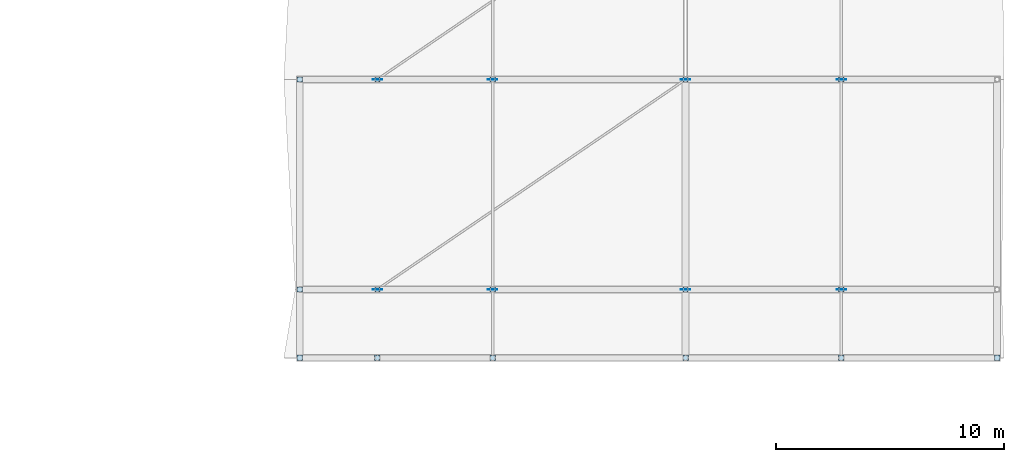
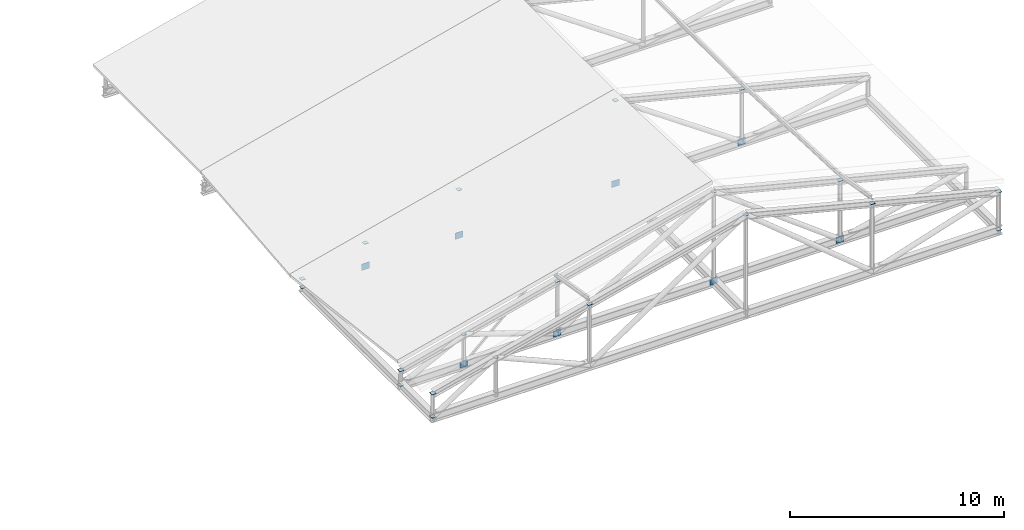
# One storey, part 52 of 56: 28 plates.
"""IFC4 building model written with IfcOpenShell, lengths in metres."""

import ifcopenshell
import ifcopenshell.guid

model = None  # the IFC model being written
_history = None  # IfcOwnerHistory: only IFC2X3 demands one
_inside = {}  # id of a spatial element -> (the spatial element, [elements in it])
_under = {}  # id of a project, library or spatial element -> (it, [spatial elements below it])
_declared = {}  # id of a project -> (the project, [libraries it declares])
_typed = {}  # id of a type object -> (the type object, [elements of that type])
_made_of = {}  # id of a material, layer set ... -> (it, [elements and type objects made of it])


def new_model(schema):
    """Start an empty IFC model of exactly this schema.

    Asked for "IFC4X3", IfcOpenShell would pick the latest addendum, in which some entities
    have other attributes; the version numbers below select the first issue.
    IFC2X3 requires an IfcOwnerHistory on every rooted entity: one is made here for all.
    """
    global model, _history
    if schema == "IFC4X3":
        model = ifcopenshell.file(schema_version=(4, 3, 0, 0))
    else:
        model = ifcopenshell.file(schema=schema)
    _inside.clear()
    _under.clear()
    _declared.clear()
    _typed.clear()
    _made_of.clear()
    _history = None
    if model.schema == "IFC2X3":
        org = make("IfcOrganization", Name="unknown")
        user = make(
            "IfcPersonAndOrganization",
            ThePerson=make("IfcPerson", FamilyName="unknown"),
            TheOrganization=org,
        )
        app = make(
            "IfcApplication",
            ApplicationDeveloper=org,
            Version="unknown",
            ApplicationFullName="unknown",
            ApplicationIdentifier="unknown",
        )
        _history = make(
            "IfcOwnerHistory",
            OwningUser=user,
            OwningApplication=app,
            ChangeAction="ADDED",
            CreationDate=0,
        )
    return model


def make(cls, **values):
    """One entity of the class cls with the attributes given. An attribute that is None is left unset."""
    return model.create_entity(
        cls, **{name: value for name, value in values.items() if value is not None}
    )


def rooted(cls, **values):
    """An entity with a GlobalId (a new one), such as an element, a storey or a relation."""
    return make(cls, GlobalId=ifcopenshell.guid.new(), OwnerHistory=_history, **values)


def si_unit(unit_type, name, prefix=None):
    """IfcSIUnit, for example si_unit("LENGTHUNIT", "METRE", prefix="MILLI")."""
    return make("IfcSIUnit", UnitType=unit_type, Prefix=prefix, Name=name)


def assignment(units):
    """IfcUnitAssignment: the units of a project."""
    return None if units is None else make("IfcUnitAssignment", Units=units)


def point(xyz):
    """IfcCartesianPoint."""
    return None if xyz is None else make("IfcCartesianPoint", Coordinates=xyz)


def direction(xyz):
    """IfcDirection."""
    return None if xyz is None else make("IfcDirection", DirectionRatios=xyz)


def frame(location, z_axis=None, x_axis=None):
    """IfcAxis2Placement3D, a coordinate frame: its origin and axes. An axis left out is left unset."""
    return make(
        "IfcAxis2Placement3D",
        Location=point(location),
        Axis=direction(z_axis),
        RefDirection=direction(x_axis),
    )


def frame_2d(location, x_axis=None):
    """IfcAxis2Placement2D, a coordinate frame in the plane: its origin and x axis."""
    return make(
        "IfcAxis2Placement2D", Location=point(location), RefDirection=direction(x_axis)
    )


def origin():
    """The frame at (0, 0, 0) with its axes left unset."""
    return frame((0.0, 0.0, 0.0))


def origin_2d():
    """The frame at (0, 0) in the plane with its x axis left unset."""
    return frame_2d((0.0, 0.0))


def place(relative_to, where):
    """IfcLocalPlacement: puts the frame where relative to a parent placement (None: the world)."""
    return make(
        "IfcLocalPlacement", PlacementRelTo=relative_to, RelativePlacement=where
    )


def context(
    kind, dimensions, precision=None, world=None, true_north=None, identifier=None
):
    """IfcGeometricRepresentationContext, for example the 3D "Model" context."""
    return make(
        "IfcGeometricRepresentationContext",
        ContextIdentifier=identifier,
        ContextType=kind,
        CoordinateSpaceDimension=dimensions,
        Precision=precision,
        WorldCoordinateSystem=world,
        TrueNorth=true_north,
    )


def subcontext(parent, identifier, kind, view, scale=None):
    """IfcGeometricRepresentationSubContext, for example "Body" below "Model"."""
    return make(
        "IfcGeometricRepresentationSubContext",
        ContextIdentifier=identifier,
        ContextType=kind,
        ParentContext=parent,
        TargetScale=scale,
        TargetView=view,
    )


def project(units=None, contexts=None):
    """IfcProject with its units and contexts."""
    return rooted(
        "IfcProject",
        Name="project",
        RepresentationContexts=contexts,
        UnitsInContext=assignment(units),
    )


def spatial(cls, under=None, at=None, **own):
    """A site, building, storey or space (cls), placed at a placement, below another one or the project."""
    s = rooted(cls, ObjectPlacement=at, **own)
    if under is not None:
        _under.setdefault(under.id(), (under, []))[1].append(s)
    return s


def profile(cls, at=None, kind="AREA", **sizes):
    """A parametric profile (cls). Its sizes go by their IFC names, for example OverallWidth=200.0."""
    return make(cls, ProfileType=kind, Position=at, **sizes)


def rectangle(**sizes):
    """IfcRectangleProfileDef."""
    return profile("IfcRectangleProfileDef", **sizes)


def extrude(swept, where, along, depth):
    """IfcExtrudedAreaSolid: the profile swept, set in the frame where, extruded along a direction by depth."""
    return make(
        "IfcExtrudedAreaSolid",
        SweptArea=swept,
        Position=where,
        ExtrudedDirection=direction(along),
        Depth=depth,
    )


def shape(context_of_items, identifier, shape_type, items):
    """IfcShapeRepresentation: the items that make up one representation, for example the "Body"."""
    return make(
        "IfcShapeRepresentation",
        ContextOfItems=context_of_items,
        RepresentationIdentifier=identifier,
        RepresentationType=shape_type,
        Items=items,
    )


def material(Name=None, Category=None):
    """IfcMaterial."""
    return make("IfcMaterial", Name=Name, Category=Category)


def layer(
    of_material, thickness, ventilated=None, Name=None, Category=None, Priority=None
):
    """IfcMaterialLayer: one layer of a wall or slab, of a material (None: an air gap)."""
    return make(
        "IfcMaterialLayer",
        Material=of_material,
        LayerThickness=thickness,
        IsVentilated=ventilated,
        Name=Name,
        Category=Category,
        Priority=Priority,
    )


def layer_set(layers, Name=None):
    """IfcMaterialLayerSet."""
    return make("IfcMaterialLayerSet", MaterialLayers=layers, LayerSetName=Name)


def made_of(thing, what):
    """Note that an element or type object is made of a material, layer set ...; save() writes the relation."""
    if what is not None:
        _made_of.setdefault(what.id(), (what, []))[1].append(thing)
    return thing


def type_object(cls, material=None, **own):
    """A type object (cls), such as IfcWallType, which elements share."""
    return made_of(rooted(cls, **own), material)


def element(
    cls,
    number,
    at=None,
    inside=None,
    cuts=None,
    type_object=None,
    material=None,
    context=None,
    identifier="Body",
    shape_type=None,
    held_by="IfcProductDefinitionShape",
    body=None,
    shapes=None,
    **own,
):
    """One element of the class cls, such as IfcWall. Its Tag is "e" and its number.

    at: its placement. inside: the storey or other place that contains it. cuts: it is an
    opening in that element (IfcRelVoidsElement). A single representation is given by context,
    identifier, shape_type and body (its items); several are given by shapes. held_by: the class
    of the entity that holds the representations. save() writes the other relations.
    """
    e = rooted(cls, Tag="e%d" % number, ObjectPlacement=at, **own)
    if body is not None:
        shapes = [shape(context, identifier, shape_type, body)]
    if shapes is not None:
        e.Representation = make(held_by, Representations=shapes)
    if inside is not None:
        _inside.setdefault(inside.id(), (inside, []))[1].append(e)
    if cuts is not None:
        rooted(
            "IfcRelVoidsElement", RelatingBuildingElement=cuts, RelatedOpeningElement=e
        )
    if type_object is not None:
        _typed.setdefault(type_object.id(), (type_object, []))[1].append(e)
    return made_of(e, material)


def aggregate(whole, parts):
    """IfcRelAggregates: a whole, such as a stair, and the parts it consists of."""
    return rooted("IfcRelAggregates", RelatingObject=whole, RelatedObjects=parts)


def save(model, path):
    """Write the relations noted so far, then the file.

    IfcRelAggregates (storeys below a building ...), IfcRelContainedInSpatialStructure (elements
    in a storey), IfcRelDefinesByType, IfcRelAssociatesMaterial and IfcRelDeclares: one each for
    every whole, place, type object, material and project.
    """
    for whole, parts in _under.values():
        aggregate(whole, parts)
    for where, things in _inside.values():
        rooted(
            "IfcRelContainedInSpatialStructure",
            RelatedElements=things,
            RelatingStructure=where,
        )
    for kind, things in _typed.values():
        rooted("IfcRelDefinesByType", RelatedObjects=things, RelatingType=kind)
    for what, things in _made_of.values():
        rooted("IfcRelAssociatesMaterial", RelatedObjects=things, RelatingMaterial=what)
    for by, libraries in _declared.values():
        rooted("IfcRelDeclares", RelatingContext=by, RelatedDefinitions=libraries)
    model.write(path)


model = new_model("IFC4")

# Units and contexts
model_context = context("Model", 3, precision=1e-05, world=origin(), true_north=direction((0.0, 1.0)))
body_context = subcontext(model_context, "Body", "Model", "MODEL_VIEW")
ifc_project = project(units=[si_unit("LENGTHUNIT", "METRE"), si_unit("AREAUNIT", "SQUARE_METRE"), si_unit("VOLUMEUNIT", "CUBIC_METRE"), si_unit("PLANEANGLEUNIT", "RADIAN"), si_unit("MASSUNIT", "GRAM", prefix="KILO")], contexts=[model_context])

# Site, building, storey
site_placement = place(None, origin())
site = spatial("IfcSite", under=ifc_project, at=site_placement, CompositionType="ELEMENT")
building_placement = place(site_placement, origin())
building = spatial("IfcBuilding", under=site, at=building_placement, Name="Bozkorgan Art Gallery", CompositionType="ELEMENT")
storey_placement = place(building_placement, frame((0.0, 0.0, 24.0)))
storey = spatial("IfcBuildingStorey", under=building, at=storey_placement, Name="L05", CompositionType="ELEMENT", Elevation=24.0)

# Plates
ifc_material = material(Name="Steel S355J2", Category="steel")
ifc_layer_1 = layer(ifc_material, 0.01611328125, Name="Steel S355J2")
ifc_layer_set_1 = layer_set([ifc_layer_1], Name="Steel S355J2")
plate_type_1 = type_object("IfcPlateType", Name="PLATE-EC-05", PredefinedType="USERDEFINED", material=ifc_layer_set_1)
for number, where, z_axis, x_axis, name in (
    (1, (133.60009765625, 66.0, 1.08154296875), (0.0, 0.0, 1.0), (1.0, 0.0, 0.0), "Truss V5 post cap 2.0"),
    (2, (133.60009765625, 66.0, 0.241943359375), (0.0, 0.0, 1.0), (1.0, 0.0, 0.0), "Truss V5 post base cap 2.0"),
    (3, (137.0, 66.0, 1.942138671875), (0.0, 0.0, 1.0), (1.0, 0.0, 0.0), "Truss V5 post cap 2.1"),
    (4, (142.050048828125, 66.0, 3.2197265625), (0.0, 0.0, 1.0), (1.0, 0.0, 0.0), "Truss V5 post cap 2.2"),
    (5, (150.5, 66.0, 5.358154296875), (0.0, 0.0, 1.0), (1.0, 0.0, 0.0), "Truss V5 post cap 2.3"),
    (6, (157.324951171875, 66.0, 3.631103515625), (0.0, 0.0, 1.0), (1.0, 0.0, 0.0), "Truss V5 post cap 2.4"),
    (7, (133.60009765625, 75.199951171875, 0.71875), (0.0, 0.0, 1.0), (1.0, 0.0, 0.0), "Truss V5 post cap 3.0"),
    (8, (133.60009765625, 75.199951171875, 0.241943359375), (0.0, 0.0, 1.0), (1.0, 0.0, 0.0), "Truss V5 post base cap 3.0"),
    (9, (137.0, 75.199951171875, 1.5791015625), (0.0, 0.0, 1.0), (1.0, 0.0, 0.0), "Truss V5 post cap 3.1"),
    (10, (142.050048828125, 75.199951171875, 2.85693359375), (0.0, 0.0, 1.0), (1.0, 0.0, 0.0), "Truss V5 post cap 3.2"),
    (11, (150.5, 75.199951171875, 4.9951171875), (0.0, 0.0, 1.0), (1.0, 0.0, 0.0), "Truss V5 post cap 3.3"),
    (12, (157.324951171875, 75.199951171875, 3.26806640625), (0.0, 0.0, 1.0), (1.0, 0.0, 0.0), "Truss V5 post cap 3.4"),
):
    element("IfcPlate", number, at=place(storey_placement, frame(where, z_axis=z_axis, x_axis=x_axis)), inside=storey, type_object=plate_type_1, Name=name, ObjectType="END CAP PLATE", PredefinedType="USERDEFINED", context=body_context, shape_type="SweptSolid", body=[
        extrude(rectangle(XDim=0.22998046875, YDim=0.22998046875, at=origin_2d()), origin(), (0.0, 0.0, 1.0), 0.01611328125),
    ])
ifc_layer_2 = layer(ifc_material, 0.02001953125, Name="Steel S355J2")
ifc_layer_set_2 = layer_set([ifc_layer_2], Name="Steel S355J2")
plate_type_2 = type_object("IfcPlateType", Name="PLATE-EC-24", PredefinedType="USERDEFINED", material=ifc_layer_set_2)
for number, where, z_axis, x_axis, name in (
    (13, (133.60009765625, 63.0, 1.581298828125), (0.0, 0.0, 1.0), (1.0, 0.0, 0.0), "Truss V5 post cap 1.0"),
    (14, (133.60009765625, 63.0, 0.239990234375), (0.0, 0.0, 1.0), (1.0, 0.0, 0.0), "Truss V5 post base cap 1.0"),
    (15, (137.0, 63.0, 2.441650390625), (0.0, 0.0, 1.0), (1.0, 0.0, 0.0), "Truss V5 post cap 1.1"),
    (16, (142.050048828125, 63.0, 3.719482421875), (0.0, 0.0, 1.0), (1.0, 0.0, 0.0), "Truss V5 post cap 1.2"),
    (17, (150.5, 63.0, 5.857666015625), (0.0, 0.0, 1.0), (1.0, 0.0, 0.0), "Truss V5 post cap 1.3"),
    (18, (157.324951171875, 63.0, 4.130615234375), (0.0, 0.0, 1.0), (1.0, 0.0, 0.0), "Truss V5 post cap 1.4"),
    (19, (164.14990234375, 63.0, 2.40380859375), (0.0, 0.0, 1.0), (1.0, 0.0, 0.0), "Truss V5 post cap 1.5"),
    (20, (164.14990234375, 63.0, 0.239990234375), (0.0, 0.0, 1.0), (1.0, 0.0, 0.0), "Truss V5 post base cap 1.5"),
):
    element("IfcPlate", number, at=place(storey_placement, frame(where, z_axis=z_axis, x_axis=x_axis)), inside=storey, type_object=plate_type_2, Name=name, ObjectType="END CAP PLATE", PredefinedType="USERDEFINED", context=body_context, shape_type="SweptSolid", body=[
        extrude(rectangle(XDim=0.239990234375, YDim=0.239990234375, at=origin_2d()), origin(), (0.0, 0.0, 1.0), 0.02001953125),
    ])
ifc_layer_3 = layer(ifc_material, 0.02392578125, Name="Steel S355J2")
ifc_layer_set_3 = layer_set([ifc_layer_3], Name="Steel S355J2")
plate_type_3 = type_object("IfcPlateType", Name="PLATE-GP-38", PredefinedType="USERDEFINED", material=ifc_layer_set_3)
for number, where, z_axis, x_axis, name in (
    (21, (150.5, 66.0, 0.06982421875), (0.0, 0.0, 1.0), (1.0, 0.0, 0.0), "Truss V5 span 2 node gusset TN-3"),
    (22, (150.5, 75.199951171875, 0.06982421875), (0.0, 0.0, 1.0), (1.0, 0.0, 0.0), "Truss V5 span 3 node gusset TN-3"),
):
    element("IfcPlate", number, at=place(storey_placement, frame(where, z_axis=z_axis, x_axis=x_axis)), inside=storey, type_object=plate_type_3, Name=name, ObjectType="GUSSET PLATE", PredefinedType="USERDEFINED", context=body_context, shape_type="SweptSolid", body=[
        extrude(rectangle(XDim=0.419921875, YDim=0.02001953125, at=origin_2d()), origin(), (0.0, 0.0, 1.0), 0.360107421875),
    ])
ifc_layer_4 = layer(ifc_material, 0.02001953125, Name="Steel S355J2")
ifc_layer_set_4 = layer_set([ifc_layer_4], Name="Steel S355J2")
plate_type_4 = type_object("IfcPlateType", Name="PLATE-GP-55", PredefinedType="USERDEFINED", material=ifc_layer_set_4)
for number, where, z_axis, x_axis, name in (
    (23, (137.0, 66.0, 0.06982421875), (0.0, 0.0, 1.0), (1.0, 0.0, 0.0), "Truss V5 span 2 node gusset TN-1"),
    (24, (142.050048828125, 66.0, 0.06982421875), (0.0, 0.0, 1.0), (1.0, 0.0, 0.0), "Truss V5 span 2 node gusset TN-2"),
    (25, (157.324951171875, 66.0, 0.06982421875), (0.0, 0.0, 1.0), (1.0, 0.0, 0.0), "Truss V5 span 2 node gusset TN-4"),
    (26, (137.0, 75.199951171875, 0.06982421875), (0.0, 0.0, 1.0), (1.0, 0.0, 0.0), "Truss V5 span 3 node gusset TN-1"),
    (27, (142.050048828125, 75.199951171875, 0.06982421875), (0.0, 0.0, 1.0), (1.0, 0.0, 0.0), "Truss V5 span 3 node gusset TN-2"),
    (28, (157.324951171875, 75.199951171875, 0.06982421875), (0.0, 0.0, 1.0), (1.0, 0.0, 0.0), "Truss V5 span 3 node gusset TN-4"),
):
    element("IfcPlate", number, at=place(storey_placement, frame(where, z_axis=z_axis, x_axis=x_axis)), inside=storey, type_object=plate_type_4, Name=name, ObjectType="GUSSET PLATE", PredefinedType="USERDEFINED", context=body_context, shape_type="SweptSolid", body=[
        extrude(rectangle(XDim=0.419921875, YDim=0.02001953125, at=origin_2d()), origin(), (0.0, 0.0, 1.0), 0.360107421875),
    ])

save(model, "model.ifc")
